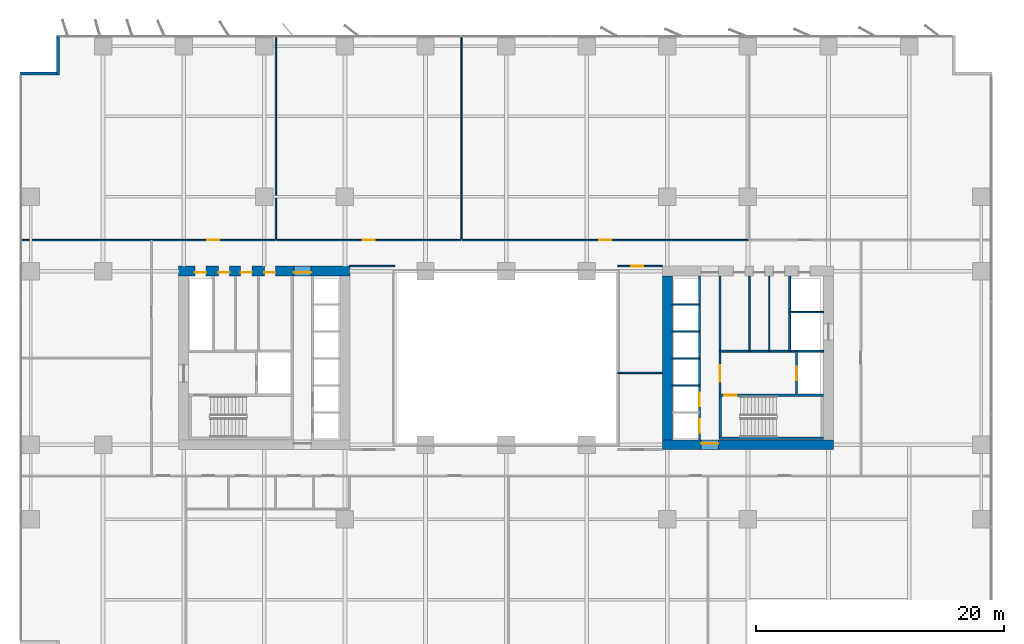
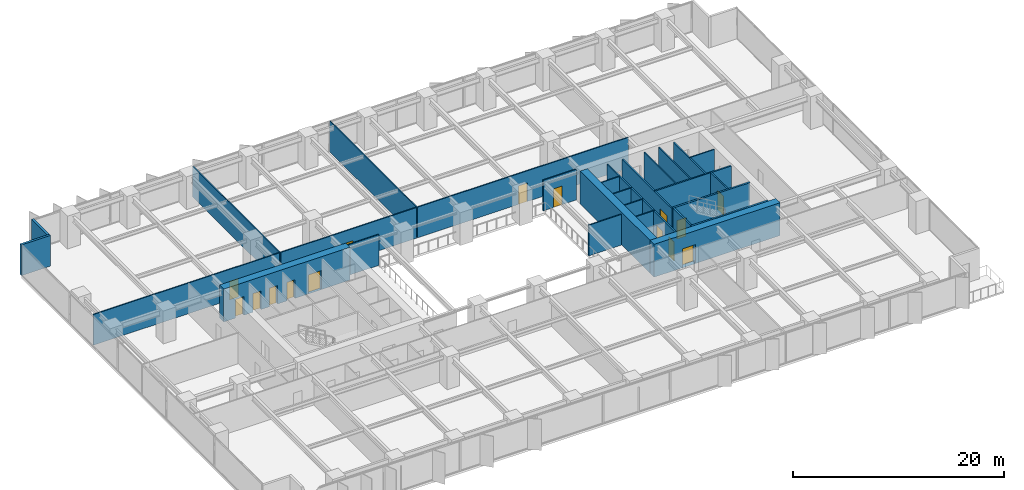
# One storey, part 14 of 20: 28 walls, 15 doors, 15 openings.
"""IFC4 building model written with IfcOpenShell, lengths in metres."""

import ifcopenshell
import ifcopenshell.guid

model = None  # the IFC model being written
_history = None  # IfcOwnerHistory: only IFC2X3 demands one
_inside = {}  # id of a spatial element -> (the spatial element, [elements in it])
_under = {}  # id of a project, library or spatial element -> (it, [spatial elements below it])
_declared = {}  # id of a project -> (the project, [libraries it declares])
_typed = {}  # id of a type object -> (the type object, [elements of that type])
_made_of = {}  # id of a material, layer set ... -> (it, [elements and type objects made of it])


def new_model(schema):
    """Start an empty IFC model of exactly this schema.

    Asked for "IFC4X3", IfcOpenShell would pick the latest addendum, in which some entities
    have other attributes; the version numbers below select the first issue.
    IFC2X3 requires an IfcOwnerHistory on every rooted entity: one is made here for all.
    """
    global model, _history
    if schema == "IFC4X3":
        model = ifcopenshell.file(schema_version=(4, 3, 0, 0))
    else:
        model = ifcopenshell.file(schema=schema)
    _inside.clear()
    _under.clear()
    _declared.clear()
    _typed.clear()
    _made_of.clear()
    _history = None
    if model.schema == "IFC2X3":
        org = make("IfcOrganization", Name="unknown")
        user = make(
            "IfcPersonAndOrganization",
            ThePerson=make("IfcPerson", FamilyName="unknown"),
            TheOrganization=org,
        )
        app = make(
            "IfcApplication",
            ApplicationDeveloper=org,
            Version="unknown",
            ApplicationFullName="unknown",
            ApplicationIdentifier="unknown",
        )
        _history = make(
            "IfcOwnerHistory",
            OwningUser=user,
            OwningApplication=app,
            ChangeAction="ADDED",
            CreationDate=0,
        )
    return model


def make(cls, **values):
    """One entity of the class cls with the attributes given. An attribute that is None is left unset."""
    return model.create_entity(
        cls, **{name: value for name, value in values.items() if value is not None}
    )


def rooted(cls, **values):
    """An entity with a GlobalId (a new one), such as an element, a storey or a relation."""
    return make(cls, GlobalId=ifcopenshell.guid.new(), OwnerHistory=_history, **values)


def si_unit(unit_type, name, prefix=None):
    """IfcSIUnit, for example si_unit("LENGTHUNIT", "METRE", prefix="MILLI")."""
    return make("IfcSIUnit", UnitType=unit_type, Prefix=prefix, Name=name)


def assignment(units):
    """IfcUnitAssignment: the units of a project."""
    return None if units is None else make("IfcUnitAssignment", Units=units)


def point(xyz):
    """IfcCartesianPoint."""
    return None if xyz is None else make("IfcCartesianPoint", Coordinates=xyz)


def direction(xyz):
    """IfcDirection."""
    return None if xyz is None else make("IfcDirection", DirectionRatios=xyz)


def frame(location, z_axis=None, x_axis=None):
    """IfcAxis2Placement3D, a coordinate frame: its origin and axes. An axis left out is left unset."""
    return make(
        "IfcAxis2Placement3D",
        Location=point(location),
        Axis=direction(z_axis),
        RefDirection=direction(x_axis),
    )


def frame_2d(location, x_axis=None):
    """IfcAxis2Placement2D, a coordinate frame in the plane: its origin and x axis."""
    return make(
        "IfcAxis2Placement2D", Location=point(location), RefDirection=direction(x_axis)
    )


def origin():
    """The frame at (0, 0, 0) with its axes left unset."""
    return frame((0.0, 0.0, 0.0))


def place(relative_to, where):
    """IfcLocalPlacement: puts the frame where relative to a parent placement (None: the world)."""
    return make(
        "IfcLocalPlacement", PlacementRelTo=relative_to, RelativePlacement=where
    )


def context(
    kind, dimensions, precision=None, world=None, true_north=None, identifier=None
):
    """IfcGeometricRepresentationContext, for example the 3D "Model" context."""
    return make(
        "IfcGeometricRepresentationContext",
        ContextIdentifier=identifier,
        ContextType=kind,
        CoordinateSpaceDimension=dimensions,
        Precision=precision,
        WorldCoordinateSystem=world,
        TrueNorth=true_north,
    )


def subcontext(parent, identifier, kind, view, scale=None):
    """IfcGeometricRepresentationSubContext, for example "Body" below "Model"."""
    return make(
        "IfcGeometricRepresentationSubContext",
        ContextIdentifier=identifier,
        ContextType=kind,
        ParentContext=parent,
        TargetScale=scale,
        TargetView=view,
    )


def project(units=None, contexts=None):
    """IfcProject with its units and contexts."""
    return rooted(
        "IfcProject",
        Name="project",
        RepresentationContexts=contexts,
        UnitsInContext=assignment(units),
    )


def spatial(cls, under=None, at=None, **own):
    """A site, building, storey or space (cls), placed at a placement, below another one or the project."""
    s = rooted(cls, ObjectPlacement=at, **own)
    if under is not None:
        _under.setdefault(under.id(), (under, []))[1].append(s)
    return s


def profile(cls, at=None, kind="AREA", **sizes):
    """A parametric profile (cls). Its sizes go by their IFC names, for example OverallWidth=200.0."""
    return make(cls, ProfileType=kind, Position=at, **sizes)


def rectangle(**sizes):
    """IfcRectangleProfileDef."""
    return profile("IfcRectangleProfileDef", **sizes)


def extrude(swept, where, along, depth):
    """IfcExtrudedAreaSolid: the profile swept, set in the frame where, extruded along a direction by depth."""
    return make(
        "IfcExtrudedAreaSolid",
        SweptArea=swept,
        Position=where,
        ExtrudedDirection=direction(along),
        Depth=depth,
    )


def shape(context_of_items, identifier, shape_type, items):
    """IfcShapeRepresentation: the items that make up one representation, for example the "Body"."""
    return make(
        "IfcShapeRepresentation",
        ContextOfItems=context_of_items,
        RepresentationIdentifier=identifier,
        RepresentationType=shape_type,
        Items=items,
    )


def material(Name=None, Category=None):
    """IfcMaterial."""
    return make("IfcMaterial", Name=Name, Category=Category)


def layer(
    of_material, thickness, ventilated=None, Name=None, Category=None, Priority=None
):
    """IfcMaterialLayer: one layer of a wall or slab, of a material (None: an air gap)."""
    return make(
        "IfcMaterialLayer",
        Material=of_material,
        LayerThickness=thickness,
        IsVentilated=ventilated,
        Name=Name,
        Category=Category,
        Priority=Priority,
    )


def layer_set(layers, Name=None):
    """IfcMaterialLayerSet."""
    return make("IfcMaterialLayerSet", MaterialLayers=layers, LayerSetName=Name)


def made_of(thing, what):
    """Note that an element or type object is made of a material, layer set ...; save() writes the relation."""
    if what is not None:
        _made_of.setdefault(what.id(), (what, []))[1].append(thing)
    return thing


def type_object(cls, material=None, **own):
    """A type object (cls), such as IfcWallType, which elements share."""
    return made_of(rooted(cls, **own), material)


def element(
    cls,
    number,
    at=None,
    inside=None,
    cuts=None,
    type_object=None,
    material=None,
    context=None,
    identifier="Body",
    shape_type=None,
    held_by="IfcProductDefinitionShape",
    body=None,
    shapes=None,
    **own,
):
    """One element of the class cls, such as IfcWall. Its Tag is "e" and its number.

    at: its placement. inside: the storey or other place that contains it. cuts: it is an
    opening in that element (IfcRelVoidsElement). A single representation is given by context,
    identifier, shape_type and body (its items); several are given by shapes. held_by: the class
    of the entity that holds the representations. save() writes the other relations.
    """
    e = rooted(cls, Tag="e%d" % number, ObjectPlacement=at, **own)
    if body is not None:
        shapes = [shape(context, identifier, shape_type, body)]
    if shapes is not None:
        e.Representation = make(held_by, Representations=shapes)
    if inside is not None:
        _inside.setdefault(inside.id(), (inside, []))[1].append(e)
    if cuts is not None:
        rooted(
            "IfcRelVoidsElement", RelatingBuildingElement=cuts, RelatedOpeningElement=e
        )
    if type_object is not None:
        _typed.setdefault(type_object.id(), (type_object, []))[1].append(e)
    return made_of(e, material)


def fill(opening, filler):
    """IfcRelFillsElement: the door or window that sits in an opening."""
    return rooted(
        "IfcRelFillsElement",
        RelatingOpeningElement=opening,
        RelatedBuildingElement=filler,
    )


def aggregate(whole, parts):
    """IfcRelAggregates: a whole, such as a stair, and the parts it consists of."""
    return rooted("IfcRelAggregates", RelatingObject=whole, RelatedObjects=parts)


def save(model, path):
    """Write the relations noted so far, then the file.

    IfcRelAggregates (storeys below a building ...), IfcRelContainedInSpatialStructure (elements
    in a storey), IfcRelDefinesByType, IfcRelAssociatesMaterial and IfcRelDeclares: one each for
    every whole, place, type object, material and project.
    """
    for whole, parts in _under.values():
        aggregate(whole, parts)
    for where, things in _inside.values():
        rooted(
            "IfcRelContainedInSpatialStructure",
            RelatedElements=things,
            RelatingStructure=where,
        )
    for kind, things in _typed.values():
        rooted("IfcRelDefinesByType", RelatedObjects=things, RelatingType=kind)
    for what, things in _made_of.values():
        rooted("IfcRelAssociatesMaterial", RelatedObjects=things, RelatingMaterial=what)
    for by, libraries in _declared.values():
        rooted("IfcRelDeclares", RelatingContext=by, RelatedDefinitions=libraries)
    model.write(path)


model = new_model("IFC4")

# Units and contexts
model_context = context("Model", 3, precision=1e-05, world=origin(), true_north=direction((0.0, 1.0)))
body_context = subcontext(model_context, "Body", "Model", "MODEL_VIEW")
ifc_project = project(units=[si_unit("LENGTHUNIT", "METRE"), si_unit("AREAUNIT", "SQUARE_METRE"), si_unit("VOLUMEUNIT", "CUBIC_METRE"), si_unit("PLANEANGLEUNIT", "RADIAN"), si_unit("MASSUNIT", "GRAM", prefix="KILO")], contexts=[model_context])

# Site, building, storey
site_placement = place(None, origin())
site = spatial("IfcSite", under=ifc_project, at=site_placement, CompositionType="ELEMENT")
building_placement = place(site_placement, origin())
building = spatial("IfcBuilding", under=site, at=building_placement, Name="Putna Gate Headquarters", CompositionType="ELEMENT")
storey_placement = place(building_placement, frame((0.0, 0.0, 43.0)))
storey = spatial("IfcBuildingStorey", under=building, at=storey_placement, Name="L09", CompositionType="ELEMENT", Elevation=43.0)

# Wall, openings, doors
ifc_material_1 = material(Name="Concrete C60/75", Category="concrete")
ifc_layer_1 = layer(ifc_material_1, 0.800048828125)
ifc_layer_set_1 = layer_set([ifc_layer_1], Name="Concrete C60/75")
wall_type_1 = type_object("IfcWallType", Name="WALL-CORE-800", PredefinedType="SHEAR", material=ifc_layer_set_1)
wall_1_placement = place(storey_placement, frame((12.60009765625, 33.0, 0.0), z_axis=(0.0, 0.0, 1.0), x_axis=(1.0, 0.0, 0.0)))
wall_1 = element("IfcWall", 1, at=wall_1_placement, inside=storey, type_object=wall_type_1, Name="L09 WC Split Core Shear Wall N", PredefinedType="SHEAR", context=body_context, shape_type="SweptSolid", body=[
    extrude(rectangle(XDim=13.7998046875, YDim=0.800048828125, at=frame_2d((6.89990234375, 0.0))), origin(), (0.0, 0.0, 1.0), 3.800048828125),
])
opening_1_placement = place(wall_1_placement, frame((1.300048828125, 0.0, 0.0)))
opening_1 = element("IfcOpeningElement", 2, at=opening_1_placement, cuts=wall_1, Name="Opening RD-90", PredefinedType="OPENING", context=body_context, shape_type="SweptSolid", body=[
    extrude(rectangle(XDim=0.89990234375, YDim=2.14990234375, at=frame_2d((0.449951171875, 1.074951171875))), frame((0.0, 0.409912109375, 0.0), z_axis=(0.0, -1.0, 0.0), x_axis=(1.0, 0.0, 0.0)), (0.0, 0.0, 1.0), 0.820068359375),
])
opening_2_placement = place(wall_1_placement, frame((3.199951171875, 0.0, 0.0)))
opening_2 = element("IfcOpeningElement", 3, at=opening_2_placement, cuts=wall_1, Name="Opening IDS-90", PredefinedType="OPENING", context=body_context, shape_type="SweptSolid", body=[
    extrude(rectangle(XDim=0.89990234375, YDim=2.14990234375, at=frame_2d((0.449951171875, 1.074951171875))), frame((0.0, 0.409912109375, 0.0), z_axis=(0.0, -1.0, 0.0), x_axis=(1.0, 0.0, 0.0)), (0.0, 0.0, 1.0), 0.820068359375),
])
opening_3_placement = place(wall_1_placement, frame((5.0, 0.0, 0.0)))
opening_3 = element("IfcOpeningElement", 4, at=opening_3_placement, cuts=wall_1, Name="Opening IDS-90", PredefinedType="OPENING", context=body_context, shape_type="SweptSolid", body=[
    extrude(rectangle(XDim=0.89990234375, YDim=2.14990234375, at=frame_2d((0.449951171875, 1.074951171875))), frame((0.0, 0.409912109375, 0.0), z_axis=(0.0, -1.0, 0.0), x_axis=(1.0, 0.0, 0.0)), (0.0, 0.0, 1.0), 0.820068359375),
])
opening_4_placement = place(wall_1_placement, frame((6.89990234375, 0.0, 0.0)))
opening_4 = element("IfcOpeningElement", 5, at=opening_4_placement, cuts=wall_1, Name="Opening IDS-90", PredefinedType="OPENING", context=body_context, shape_type="SweptSolid", body=[
    extrude(rectangle(XDim=0.89990234375, YDim=2.14990234375, at=frame_2d((0.449951171875, 1.074951171875))), frame((0.0, 0.409912109375, 0.0), z_axis=(0.0, -1.0, 0.0), x_axis=(1.0, 0.0, 0.0)), (0.0, 0.0, 1.0), 0.820068359375),
])
opening_5_placement = place(wall_1_placement, frame((9.280029296875, 0.0, 0.0)))
opening_5 = element("IfcOpeningElement", 6, at=opening_5_placement, cuts=wall_1, Name="Opening FDD-140", PredefinedType="OPENING", context=body_context, shape_type="SweptSolid", body=[
    extrude(rectangle(XDim=1.39990234375, YDim=2.199951171875, at=frame_2d((0.699951171875, 1.10009765625))), frame((0.0, 0.409912109375, 0.0), z_axis=(0.0, -1.0, 0.0), x_axis=(1.0, 0.0, 0.0)), (0.0, 0.0, 1.0), 0.820068359375),
])
ifc_material_2 = material(Name="Double steel fire door", Category="steel")
door_type_1 = type_object("IfcDoorType", Name="DOOR-FIRE-DBL-1400", OperationType="DOUBLE_DOOR_SINGLE_SWING", PredefinedType="DOOR", material=ifc_material_2)
door_1_placement = place(opening_5_placement, origin())
door_1 = element("IfcDoor", 7, at=door_1_placement, inside=storey, type_object=door_type_1, Name="L09 West Lift Lobby North Door", OperationType="DOUBLE_DOOR_SINGLE_SWING", OverallHeight=2.199951171875, OverallWidth=1.39990234375, PredefinedType="DOOR", context=body_context, shape_type="SweptSolid", body=[
    extrude(rectangle(XDim=1.39990234375, YDim=2.199951171875, at=frame_2d((0.699951171875, 1.10009765625))), frame((0.0, -0.0751953125, 0.0), z_axis=(0.0, -1.0, 0.0), x_axis=(1.0, 0.0, 0.0)), (0.0, 0.0, 1.0), 0.050048828125),
])
fill(opening_5, door_1)
ifc_material_3 = material(Name="Fire-rated utility door")
door_type_2 = type_object("IfcDoorType", Name="DOOR-INT-900", OperationType="NOTDEFINED", PredefinedType="DOOR", material=ifc_material_3)
door_2_placement = place(opening_2_placement, origin())
door_2 = element("IfcDoor", 8, at=door_2_placement, inside=storey, type_object=door_type_2, Name="L09 Janitor Cupboard Door", OperationType="SINGLE_SWING_LEFT", OverallHeight=2.14990234375, OverallWidth=0.89990234375, PredefinedType="DOOR", context=body_context, shape_type="SweptSolid", body=[
    extrude(rectangle(XDim=0.89990234375, YDim=2.14990234375, at=frame_2d((0.449951171875, 1.074951171875))), frame((0.0, -0.0751953125, 0.0), z_axis=(0.0, -1.0, 0.0), x_axis=(1.0, 0.0, 0.0)), (0.0, 0.0, 1.0), 0.050048828125),
])
fill(opening_2, door_2)
door_3_placement = place(opening_3_placement, origin())
door_3 = element("IfcDoor", 9, at=door_3_placement, inside=storey, type_object=door_type_2, Name="L09 IT Patch Plant Door", OperationType="SINGLE_SWING_RIGHT", OverallHeight=2.14990234375, OverallWidth=0.89990234375, PredefinedType="DOOR", context=body_context, shape_type="SweptSolid", body=[
    extrude(rectangle(XDim=0.89990234375, YDim=2.14990234375, at=frame_2d((0.449951171875, 1.074951171875))), frame((0.0, -0.0751953125, 0.0), z_axis=(0.0, -1.0, 0.0), x_axis=(1.0, 0.0, 0.0)), (0.0, 0.0, 1.0), 0.050048828125),
])
fill(opening_3, door_3)
door_4_placement = place(opening_4_placement, origin())
door_4 = element("IfcDoor", 10, at=door_4_placement, inside=storey, type_object=door_type_2, Name="L09 Building Records Store Door", OperationType="SINGLE_SWING_LEFT", OverallHeight=2.14990234375, OverallWidth=0.89990234375, PredefinedType="DOOR", context=body_context, shape_type="SweptSolid", body=[
    extrude(rectangle(XDim=0.89990234375, YDim=2.14990234375, at=frame_2d((0.449951171875, 1.074951171875))), frame((0.0, -0.0751953125, 0.0), z_axis=(0.0, -1.0, 0.0), x_axis=(1.0, 0.0, 0.0)), (0.0, 0.0, 1.0), 0.050048828125),
])
fill(opening_4, door_4)
ifc_material_4 = material(Name="Steel riser access fire door", Category="steel")
door_type_3 = type_object("IfcDoorType", Name="DOOR-RISER-900", OperationType="NOTDEFINED", PredefinedType="DOOR", material=ifc_material_4)
door_5_placement = place(opening_1_placement, origin())
door_5 = element("IfcDoor", 11, at=door_5_placement, inside=storey, type_object=door_type_3, Name="L09 West Riser Access Door", OperationType="SINGLE_SWING_RIGHT", OverallHeight=2.14990234375, OverallWidth=0.89990234375, PredefinedType="DOOR", context=body_context, shape_type="SweptSolid", body=[
    extrude(rectangle(XDim=0.89990234375, YDim=2.14990234375, at=frame_2d((0.449951171875, 1.074951171875))), frame((0.0, -0.0751953125, 0.0), z_axis=(0.0, -1.0, 0.0), x_axis=(1.0, 0.0, 0.0)), (0.0, 0.0, 1.0), 0.050048828125),
])
fill(opening_1, door_5)

# Wall, opening, door
wall_2_placement = place(storey_placement, frame((51.60009765625, 19.0, 0.0), z_axis=(0.0, 0.0, 1.0), x_axis=(1.0, 0.0, 0.0)))
wall_2 = element("IfcWall", 12, at=wall_2_placement, inside=storey, type_object=wall_type_1, Name="L09 EC Split Core Shear Wall S", PredefinedType="SHEAR", context=body_context, shape_type="SweptSolid", body=[
    extrude(rectangle(XDim=13.7998046875, YDim=0.800048828125, at=frame_2d((6.89990234375, 0.0))), origin(), (0.0, 0.0, 1.0), 3.800048828125),
])
opening_6_placement = place(wall_2_placement, frame((3.1201171875, 0.0, 0.0)))
opening_6 = element("IfcOpeningElement", 13, at=opening_6_placement, cuts=wall_2, Name="Opening FDD-140", PredefinedType="OPENING", context=body_context, shape_type="SweptSolid", body=[
    extrude(rectangle(XDim=1.39990234375, YDim=2.199951171875, at=frame_2d((0.699951171875, 1.10009765625))), frame((0.0, 0.409912109375, 0.0), z_axis=(0.0, -1.0, 0.0), x_axis=(1.0, 0.0, 0.0)), (0.0, 0.0, 1.0), 0.820068359375),
])
door_6_placement = place(opening_6_placement, origin())
door_6 = element("IfcDoor", 14, at=door_6_placement, inside=storey, type_object=door_type_1, Name="L09 East Lift Lobby South Door", OperationType="DOUBLE_DOOR_SINGLE_SWING", OverallHeight=2.199951171875, OverallWidth=1.39990234375, PredefinedType="DOOR", context=body_context, shape_type="SweptSolid", body=[
    extrude(rectangle(XDim=1.39990234375, YDim=2.199951171875, at=frame_2d((0.699951171875, 1.10009765625))), frame((0.0, 0.125, 0.0), z_axis=(0.0, -1.0, 0.0), x_axis=(1.0, 0.0, 0.0)), (0.0, 0.0, 1.0), 0.050048828125),
])
fill(opening_6, door_6)

# Walls
wall_3_placement = place(storey_placement, frame((52.0, 19.39990234375, 0.0), z_axis=(0.0, 0.0, 1.0), x_axis=(0.0, 1.0, 0.0)))
element("IfcWall", 15, at=wall_3_placement, inside=storey, type_object=wall_type_1, Name="L09 EC Split Core Shear Wall W", PredefinedType="SHEAR", context=body_context, shape_type="SweptSolid", body=[
    extrude(rectangle(XDim=13.2001953125, YDim=0.800048828125, at=frame_2d((6.60009765625, 0.0))), origin(), (0.0, 0.0, 1.0), 3.800048828125),
])
ifc_material_5 = material(Name="Precast concrete C40/50", Category="concrete")
ifc_layer_2 = layer(ifc_material_5, 0.239990234375)
ifc_layer_set_2 = layer_set([ifc_layer_2], Name="Precast concrete C40/50")
wall_type_2 = type_object("IfcWallType", Name="WALL-EXT-TERR-240", PredefinedType="STANDARD", material=ifc_layer_set_2)
for number, where, z_axis, x_axis, name in (
    (16, (2.8798828125, 48.800048828125, 0.0), (0.0, 0.0, 1.0), (0.0, 1.0, 0.0), "L09 Corner Notch Return Wall NW-V"),
    (17, (-0.199951171875, 48.919921875, 0.0), (0.0, 0.0, 1.0), (1.0, 0.0, 0.0), "L09 Corner Notch Return Wall NW-H"),
):
    element("IfcWall", number, at=place(storey_placement, frame(where, z_axis=z_axis, x_axis=x_axis)), inside=storey, type_object=wall_type_2, Name=name, PredefinedType="STANDARD", context=body_context, shape_type="SweptSolid", body=[
        extrude(rectangle(XDim=3.199951171875, YDim=0.239990234375, at=frame_2d((1.60009765625, 0.0))), origin(), (0.0, 0.0, 1.0), 3.550048828125),
    ])
ifc_material_6 = material(Name="Acoustic gypsum board on metal stud")
ifc_layer_3 = layer(ifc_material_6, 0.1201171875)
ifc_layer_set_3 = layer_set([ifc_layer_3], Name="Acoustic gypsum board on metal stud")
wall_type_3 = type_object("IfcWallType", Name="WALL-PART-120", PredefinedType="PARTITIONING", material=ifc_layer_set_3)
for number, where, z_axis, x_axis, name in (
    (18, (26.39990234375, 33.39990234375, 0.0), (0.0, 0.0, 1.0), (1.0, 0.0, 0.0), "L09 Interior Wall PART-L09-ATR-W-N"),
    (19, (48.0, 24.800048828125, 0.0), (0.0, 0.0, 1.0), (1.0, 0.0, 0.0), "L09 Interior Wall PART-L09-ATR-E-DIV"),
):
    element("IfcWall", number, at=place(storey_placement, frame(where, z_axis=z_axis, x_axis=x_axis)), inside=storey, type_object=wall_type_3, Name=name, PredefinedType="PARTITIONING", context=body_context, shape_type="SweptSolid", body=[
        extrude(rectangle(XDim=3.60009765625, YDim=0.1201171875, at=frame_2d((1.800048828125, 0.0))), origin(), (0.0, 0.0, 1.0), 3.550048828125),
    ])

# Wall, opening, door
wall_4_placement = place(storey_placement, frame((48.0, 33.39990234375, 0.0), z_axis=(0.0, 0.0, 1.0), x_axis=(1.0, 0.0, 0.0)))
wall_4 = element("IfcWall", 20, at=wall_4_placement, inside=storey, type_object=wall_type_3, Name="L09 Interior Wall PART-L09-ATR-E-N", PredefinedType="PARTITIONING", context=body_context, shape_type="SweptSolid", body=[
    extrude(rectangle(XDim=3.60009765625, YDim=0.1201171875, at=frame_2d((1.800048828125, 0.0))), origin(), (0.0, 0.0, 1.0), 3.550048828125),
])
opening_7_placement = place(wall_4_placement, frame((1.10009765625, 0.0, 0.0)))
opening_7 = element("IfcOpeningElement", 21, at=opening_7_placement, cuts=wall_4, Name="Opening ID-95", PredefinedType="OPENING", context=body_context, shape_type="SweptSolid", body=[
    extrude(rectangle(XDim=0.949951171875, YDim=2.14990234375, at=frame_2d((0.47509765625, 1.074951171875))), frame((0.0, 0.070068359375, 0.0), z_axis=(0.0, -1.0, 0.0), x_axis=(1.0, 0.0, 0.0)), (0.0, 0.0, 1.0), 0.14013671875),
])
ifc_material_7 = material(Name="Veneered acoustic timber door", Category="wood")
door_type_4 = type_object("IfcDoorType", Name="DOOR-OFF-950", OperationType="NOTDEFINED", PredefinedType="DOOR", material=ifc_material_7)
door_7_placement = place(opening_7_placement, origin())
door_7 = element("IfcDoor", 22, at=door_7_placement, inside=storey, type_object=door_type_4, Name="L09 East Atrium North Gallery Door", OperationType="SINGLE_SWING_LEFT", OverallHeight=2.14990234375, OverallWidth=0.949951171875, PredefinedType="DOOR", context=body_context, shape_type="SweptSolid", body=[
    extrude(rectangle(XDim=0.949951171875, YDim=2.14990234375, at=frame_2d((0.47509765625, 1.074951171875))), frame((0.0, 0.02490234375, 0.0), z_axis=(0.0, -1.0, 0.0), x_axis=(1.0, 0.0, 0.0)), (0.0, 0.0, 1.0), 0.050048828125),
])
fill(opening_7, door_7)

# Walls
for number, where, z_axis, x_axis, name in (
    (23, (20.426513671875, 35.56005859375, 0.0), (0.0, 0.0, 1.0), (0.0, 1.0, 0.0), "L09 Interior Wall PART-L09-NB-DIV-01"),
    (24, (35.40234375, 35.56005859375, 0.0), (0.0, 0.0, 1.0), (0.0, 1.0, 0.0), "L09 Interior Wall PART-L09-NB-DIV-02"),
):
    element("IfcWall", number, at=place(storey_placement, frame(where, z_axis=z_axis, x_axis=x_axis)), inside=storey, type_object=wall_type_3, Name=name, PredefinedType="PARTITIONING", context=body_context, shape_type="SweptSolid", body=[
        extrude(rectangle(XDim=16.419921875, YDim=0.1201171875, at=frame_2d((8.2099609375, 0.0))), origin(), (0.0, 0.0, 1.0), 3.550048828125),
    ])
ifc_material_8 = material(Name="Fire-rated shaftwall gypsum board on metal stud")
ifc_layer_4 = layer(ifc_material_8, 0.1201171875)
ifc_layer_set_4 = layer_set([ifc_layer_4], Name="Fire-rated shaftwall gypsum board on metal stud")
wall_type_4 = type_object("IfcWallType", Name="WALL-PART-120-EI120", PredefinedType="PARTITIONING", material=ifc_layer_set_4)
for number, where, z_axis, x_axis, name in (
    (25, (52.39990234375, 23.780029296875, 0.0), (0.0, 0.0, 1.0), (1.0, 0.0, 0.0), "L09 Interior Wall CWINT-L09-EC-LF04-DIV"),
    (26, (52.39990234375, 25.949951171875, 0.0), (0.0, 0.0, 1.0), (1.0, 0.0, 0.0), "L09 Interior Wall CWINT-L09-EC-LF07-DIV"),
    (27, (52.39990234375, 28.1201171875, 0.0), (0.0, 0.0, 1.0), (1.0, 0.0, 0.0), "L09 Interior Wall CWINT-L09-EC-LF08-DIV"),
    (28, (52.39990234375, 30.31005859375, 0.0), (0.0, 0.0, 1.0), (1.0, 0.0, 0.0), "L09 Interior Wall CWINT-L09-EC-LF11-DIV"),
):
    element("IfcWall", number, at=place(storey_placement, frame(where, z_axis=z_axis, x_axis=x_axis)), inside=storey, type_object=wall_type_4, Name=name, PredefinedType="PARTITIONING", context=body_context, shape_type="SweptSolid", body=[
        extrude(rectangle(XDim=2.2001953125, YDim=0.1201171875, at=frame_2d((1.10009765625, 0.0))), origin(), (0.0, 0.0, 1.0), 3.550048828125),
    ])
wall_5_placement = place(storey_placement, frame((61.8701171875, 29.699951171875, 0.0), z_axis=(0.0, 0.0, 1.0), x_axis=(1.0, 0.0, 0.0)))
element("IfcWall", 29, at=wall_5_placement, inside=storey, type_object=wall_type_4, Name="L09 Interior Wall CWINT-L09-EC-LF15-N", PredefinedType="PARTITIONING", context=body_context, shape_type="SweptSolid", body=[
    extrude(rectangle(XDim=2.72998046875, YDim=0.1201171875, at=frame_2d((1.364990234375, 0.0))), origin(), (0.0, 0.0, 1.0), 3.550048828125),
])
ifc_material_9 = material(Name="Fire-rated gypsum board on metal stud")
ifc_layer_5 = layer(ifc_material_9, 0.1201171875)
ifc_layer_set_5 = layer_set([ifc_layer_5], Name="Fire-rated gypsum board on metal stud")
wall_type_5 = type_object("IfcWallType", Name="WALL-PART-120-RATED", PredefinedType="PARTITIONING", material=ifc_layer_set_5)
for number, where, z_axis, x_axis, name in (
    (30, (58.6201171875, 26.56005859375, 0.0), (0.0, 0.0, 1.0), (0.0, 1.0, 0.0), "L09 Interior Wall CWINT-L09-EC-K2-D1"),
    (31, (60.219970703125, 26.56005859375, 0.0), (0.0, 0.0, 1.0), (0.0, 1.0, 0.0), "L09 Interior Wall CWINT-L09-EC-K2-D2"),
):
    element("IfcWall", number, at=place(storey_placement, frame(where, z_axis=z_axis, x_axis=x_axis)), inside=storey, type_object=wall_type_5, Name=name, PredefinedType="PARTITIONING", context=body_context, shape_type="SweptSolid", body=[
        extrude(rectangle(XDim=6.0400390625, YDim=0.1201171875, at=frame_2d((3.02001953125, 0.0))), origin(), (0.0, 0.0, 1.0), 3.550048828125),
    ])

# Wall, opening, door
wall_6_placement = place(storey_placement, frame((-0.02001953125, 35.5, 0.0), z_axis=(0.0, 0.0, 1.0), x_axis=(1.0, 0.0, 0.0)))
wall_6 = element("IfcWall", 32, at=wall_6_placement, inside=storey, type_object=wall_type_5, Name="L09 Interior Wall PART-L09-NB-CW-01", PredefinedType="PARTITIONING", context=body_context, shape_type="SweptSolid", body=[
    extrude(rectangle(XDim=20.386474609375, YDim=0.1201171875, at=frame_2d((10.193359375, 0.0))), origin(), (0.0, 0.0, 1.0), 3.550048828125),
])
opening_8_placement = place(wall_6_placement, frame((14.92822265625, 0.0, 0.0)))
opening_8 = element("IfcOpeningElement", 33, at=opening_8_placement, cuts=wall_6, Name="Opening FD-95", PredefinedType="OPENING", context=body_context, shape_type="SweptSolid", body=[
    extrude(rectangle(XDim=0.949951171875, YDim=2.14990234375, at=frame_2d((0.47509765625, 1.074951171875))), frame((0.0, 0.070068359375, 0.0), z_axis=(0.0, -1.0, 0.0), x_axis=(1.0, 0.0, 0.0)), (0.0, 0.0, 1.0), 0.14013671875),
])
ifc_material_10 = material(Name="Acoustic timber fire door", Category="wood")
door_type_5 = type_object("IfcDoorType", Name="DOOR-FIRE-950", OperationType="NOTDEFINED", PredefinedType="DOOR", material=ifc_material_10)
door_8_placement = place(opening_8_placement, origin())
door_8 = element("IfcDoor", 34, at=door_8_placement, inside=storey, type_object=door_type_5, Name="L09 Collaborative Breakout Lounge 1 Door", OperationType="SINGLE_SWING_RIGHT", OverallHeight=2.14990234375, OverallWidth=0.949951171875, PredefinedType="DOOR", context=body_context, shape_type="SweptSolid", body=[
    extrude(rectangle(XDim=0.949951171875, YDim=2.14990234375, at=frame_2d((0.47509765625, 1.074951171875))), frame((0.0, 0.02490234375, 0.0), z_axis=(0.0, -1.0, 0.0), x_axis=(1.0, 0.0, 0.0)), (0.0, 0.0, 1.0), 0.050048828125),
])
fill(opening_8, door_8)

wall_7_placement = place(storey_placement, frame((20.486572265625, 35.5, 0.0), z_axis=(0.0, 0.0, 1.0), x_axis=(1.0, 0.0, 0.0)))
wall_7 = element("IfcWall", 35, at=wall_7_placement, inside=storey, type_object=wall_type_5, Name="L09 Interior Wall PART-L09-NB-CW-02", PredefinedType="PARTITIONING", context=body_context, shape_type="SweptSolid", body=[
    extrude(rectangle(XDim=14.855712890625, YDim=0.1201171875, at=frame_2d((7.427734375, 0.0))), origin(), (0.0, 0.0, 1.0), 3.550048828125),
])
opening_9_placement = place(wall_7_placement, frame((6.952880859375, 0.0, 0.0)))
opening_9 = element("IfcOpeningElement", 36, at=opening_9_placement, cuts=wall_7, Name="Opening FD-95", PredefinedType="OPENING", context=body_context, shape_type="SweptSolid", body=[
    extrude(rectangle(XDim=0.949951171875, YDim=2.14990234375, at=frame_2d((0.47509765625, 1.074951171875))), frame((0.0, 0.070068359375, 0.0), z_axis=(0.0, -1.0, 0.0), x_axis=(1.0, 0.0, 0.0)), (0.0, 0.0, 1.0), 0.14013671875),
])
door_9_placement = place(opening_9_placement, origin())
door_9 = element("IfcDoor", 37, at=door_9_placement, inside=storey, type_object=door_type_5, Name="L09 Cellular Office 1 Door", OperationType="SINGLE_SWING_LEFT", OverallHeight=2.14990234375, OverallWidth=0.949951171875, PredefinedType="DOOR", context=body_context, shape_type="SweptSolid", body=[
    extrude(rectangle(XDim=0.949951171875, YDim=2.14990234375, at=frame_2d((0.47509765625, 1.074951171875))), frame((0.0, 0.02490234375, 0.0), z_axis=(0.0, -1.0, 0.0), x_axis=(1.0, 0.0, 0.0)), (0.0, 0.0, 1.0), 0.050048828125),
])
fill(opening_9, door_9)

wall_8_placement = place(storey_placement, frame((35.46240234375, 35.5, 0.0), z_axis=(0.0, 0.0, 1.0), x_axis=(1.0, 0.0, 0.0)))
wall_8 = element("IfcWall", 38, at=wall_8_placement, inside=storey, type_object=wall_type_5, Name="L09 Interior Wall PART-L09-NB-CW-03", PredefinedType="PARTITIONING", context=body_context, shape_type="SweptSolid", body=[
    extrude(rectangle(XDim=23.057861328125, YDim=0.1201171875, at=frame_2d((11.52880859375, 0.0))), origin(), (0.0, 0.0, 1.0), 3.550048828125),
])
opening_10_placement = place(wall_8_placement, frame((11.053955078125, 0.0, 0.0)))
opening_10 = element("IfcOpeningElement", 39, at=opening_10_placement, cuts=wall_8, Name="Opening FD-95", PredefinedType="OPENING", context=body_context, shape_type="SweptSolid", body=[
    extrude(rectangle(XDim=0.949951171875, YDim=2.14990234375, at=frame_2d((0.47509765625, 1.074951171875))), frame((0.0, 0.070068359375, 0.0), z_axis=(0.0, -1.0, 0.0), x_axis=(1.0, 0.0, 0.0)), (0.0, 0.0, 1.0), 0.14013671875),
])
door_10_placement = place(opening_10_placement, origin())
door_10 = element("IfcDoor", 40, at=door_10_placement, inside=storey, type_object=door_type_5, Name="L09 Cellular Office 2 Door", OperationType="SINGLE_SWING_RIGHT", OverallHeight=2.14990234375, OverallWidth=0.949951171875, PredefinedType="DOOR", context=body_context, shape_type="SweptSolid", body=[
    extrude(rectangle(XDim=0.949951171875, YDim=2.14990234375, at=frame_2d((0.47509765625, 1.074951171875))), frame((0.0, 0.02490234375, 0.0), z_axis=(0.0, -1.0, 0.0), x_axis=(1.0, 0.0, 0.0)), (0.0, 0.0, 1.0), 0.050048828125),
])
fill(opening_10, door_10)

# Wall, openings, doors
ifc_material_11 = material(Name="Concrete C40/50", Category="concrete")
ifc_layer_6 = layer(ifc_material_11, 0.159912109375)
ifc_layer_set_6 = layer_set([ifc_layer_6], Name="Concrete C40/50")
wall_type_6 = type_object("IfcWallType", Name="WALL-SHAFT-160", PredefinedType="STANDARD", material=ifc_layer_set_6)
wall_9_placement = place(storey_placement, frame((54.60009765625, 19.39990234375, 0.0), z_axis=(0.0, 0.0, 1.0), x_axis=(0.0, 1.0, 0.0)))
wall_9 = element("IfcWall", 41, at=wall_9_placement, inside=storey, type_object=wall_type_6, Name="L09 Interior Wall CWINT-L09-EC-PL-WALL", PredefinedType="STANDARD", context=body_context, shape_type="SweptSolid", body=[
    extrude(rectangle(XDim=13.2001953125, YDim=0.159912109375, at=frame_2d((6.60009765625, 0.0))), origin(), (0.0, 0.0, 1.0), 3.550048828125),
])
opening_11_placement = place(wall_9_placement, frame((0.550048828125, 0.0, 0.0)))
opening_11 = element("IfcOpeningElement", 42, at=opening_11_placement, cuts=wall_9, Name="Opening LD-1", PredefinedType="OPENING", context=body_context, shape_type="SweptSolid", body=[
    extrude(rectangle(XDim=1.10009765625, YDim=2.199951171875, at=frame_2d((0.550048828125, 1.10009765625))), frame((0.0, 0.08984375, 0.0), z_axis=(0.0, -1.0, 0.0), x_axis=(1.0, 0.0, 0.0)), (0.0, 0.0, 1.0), 0.179931640625),
])
opening_12_placement = place(wall_9_placement, frame((2.699951171875, 0.0, 0.0)))
opening_12 = element("IfcOpeningElement", 43, at=opening_12_placement, cuts=wall_9, Name="Opening LD-1", PredefinedType="OPENING", context=body_context, shape_type="SweptSolid", body=[
    extrude(rectangle(XDim=1.10009765625, YDim=2.199951171875, at=frame_2d((0.550048828125, 1.10009765625))), frame((0.0, 0.08984375, 0.0), z_axis=(0.0, -1.0, 0.0), x_axis=(1.0, 0.0, 0.0)), (0.0, 0.0, 1.0), 0.179931640625),
])
ifc_material_12 = material(Name="Brushed bronze stainless lift landing door")
door_type_6 = type_object("IfcDoorType", Name="DOOR-LIFT-1100", OperationType="DOUBLE_DOOR_SLIDING", PredefinedType="DOOR", material=ifc_material_12)
door_11_placement = place(opening_11_placement, origin())
door_11 = element("IfcDoor", 44, at=door_11_placement, inside=storey, type_object=door_type_6, Name="L09 Lift Landing Door LD-03", OperationType="DOUBLE_DOOR_SLIDING", OverallHeight=2.199951171875, OverallWidth=1.10009765625, PredefinedType="DOOR", context=body_context, shape_type="SweptSolid", body=[
    extrude(rectangle(XDim=1.10009765625, YDim=2.199951171875, at=frame_2d((0.550048828125, 1.10009765625))), frame((0.0, 0.02490234375, 0.0), z_axis=(0.0, -1.0, 0.0), x_axis=(1.0, 0.0, 0.0)), (0.0, 0.0, 1.0), 0.050048828125),
])
fill(opening_11, door_11)
door_12_placement = place(opening_12_placement, origin())
door_12 = element("IfcDoor", 45, at=door_12_placement, inside=storey, type_object=door_type_6, Name="L09 Lift Landing Door LD-04", OperationType="DOUBLE_DOOR_SLIDING", OverallHeight=2.199951171875, OverallWidth=1.10009765625, PredefinedType="DOOR", context=body_context, shape_type="SweptSolid", body=[
    extrude(rectangle(XDim=1.10009765625, YDim=2.199951171875, at=frame_2d((0.550048828125, 1.10009765625))), frame((0.0, 0.02490234375, 0.0), z_axis=(0.0, -1.0, 0.0), x_axis=(1.0, 0.0, 0.0)), (0.0, 0.0, 1.0), 0.050048828125),
])
fill(opening_12, door_12)

# Wall, opening, door
wall_10_placement = place(storey_placement, frame((56.260009765625, 23.090087890625, 0.0), z_axis=(0.0, 0.0, 1.0), x_axis=(0.0, 1.0, 0.0)))
wall_10 = element("IfcWall", 46, at=wall_10_placement, inside=storey, type_object=wall_type_6, Name="L09 Interior Wall CWINT-L09-EC-LOB-E", PredefinedType="STANDARD", context=body_context, shape_type="SweptSolid", body=[
    extrude(rectangle(XDim=9.510009765625, YDim=0.159912109375, at=frame_2d((4.7548828125, 0.0))), origin(), (0.0, 0.0, 1.0), 3.550048828125),
])
opening_13_placement = place(wall_10_placement, frame((1.010009765625, 0.0, 0.0)))
opening_13 = element("IfcOpeningElement", 47, at=opening_13_placement, cuts=wall_10, Name="Opening FDD-130", PredefinedType="OPENING", context=body_context, shape_type="SweptSolid", body=[
    extrude(rectangle(XDim=1.300048828125, YDim=2.199951171875, at=frame_2d((0.64990234375, 1.10009765625))), frame((0.0, 0.08984375, 0.0), z_axis=(0.0, -1.0, 0.0), x_axis=(1.0, 0.0, 0.0)), (0.0, 0.0, 1.0), 0.179931640625),
])
ifc_material_13 = material(Name="Double steel lobby fire door", Category="steel")
door_type_7 = type_object("IfcDoorType", Name="DOOR-FIRE-DBL-1300", OperationType="DOUBLE_DOOR_SINGLE_SWING", PredefinedType="DOOR", material=ifc_material_13)
door_13_placement = place(opening_13_placement, origin())
door_13 = element("IfcDoor", 48, at=door_13_placement, inside=storey, type_object=door_type_7, Name="L09 East Firefighting Lobby Door", OperationType="DOUBLE_DOOR_SINGLE_SWING", OverallHeight=2.199951171875, OverallWidth=1.300048828125, PredefinedType="DOOR", context=body_context, shape_type="SweptSolid", body=[
    extrude(rectangle(XDim=1.300048828125, YDim=2.199951171875, at=frame_2d((0.64990234375, 1.10009765625))), frame((0.0, 0.02490234375, 0.0), z_axis=(0.0, -1.0, 0.0), x_axis=(1.0, 0.0, 0.0)), (0.0, 0.0, 1.0), 0.050048828125),
])
fill(opening_13, door_13)

wall_11_placement = place(storey_placement, frame((62.429931640625, 23.090087890625, 0.0), z_axis=(0.0, 0.0, 1.0), x_axis=(0.0, 1.0, 0.0)))
wall_11 = element("IfcWall", 49, at=wall_11_placement, inside=storey, type_object=wall_type_6, Name="L09 Interior Wall CWINT-L09-EC-LF14-W", PredefinedType="STANDARD", context=body_context, shape_type="SweptSolid", body=[
    extrude(rectangle(XDim=3.469970703125, YDim=0.159912109375, at=frame_2d((1.73486328125, 0.0))), origin(), (0.0, 0.0, 1.0), 3.550048828125),
])
opening_14_placement = place(wall_11_placement, frame((1.10009765625, 0.0, 0.0)))
opening_14 = element("IfcOpeningElement", 50, at=opening_14_placement, cuts=wall_11, Name="Opening LD-1", PredefinedType="OPENING", context=body_context, shape_type="SweptSolid", body=[
    extrude(rectangle(XDim=1.10009765625, YDim=2.199951171875, at=frame_2d((0.550048828125, 1.10009765625))), frame((0.0, 0.08984375, 0.0), z_axis=(0.0, -1.0, 0.0), x_axis=(1.0, 0.0, 0.0)), (0.0, 0.0, 1.0), 0.179931640625),
])
door_14_placement = place(opening_14_placement, origin())
door_14 = element("IfcDoor", 51, at=door_14_placement, inside=storey, type_object=door_type_6, Name="L09 Lift Landing Door LD-14", OperationType="DOUBLE_DOOR_SLIDING", OverallHeight=2.199951171875, OverallWidth=1.10009765625, PredefinedType="DOOR", context=body_context, shape_type="SweptSolid", body=[
    extrude(rectangle(XDim=1.10009765625, YDim=2.199951171875, at=frame_2d((0.550048828125, 1.10009765625))), frame((0.0, 0.02490234375, 0.0), z_axis=(0.0, -1.0, 0.0), x_axis=(1.0, 0.0, 0.0)), (0.0, 0.0, 1.0), 0.050048828125),
])
fill(opening_14, door_14)

# Walls
wall_12_placement = place(storey_placement, frame((56.260009765625, 26.56005859375, 0.0), z_axis=(0.0, 0.0, 1.0), x_axis=(1.0, 0.0, 0.0)))
element("IfcWall", 52, at=wall_12_placement, inside=storey, type_object=wall_type_6, Name="L09 Interior Wall CWINT-L09-EC-FFL-N", PredefinedType="STANDARD", context=body_context, shape_type="SweptSolid", body=[
    extrude(rectangle(XDim=8.340087890625, YDim=0.159912109375, at=frame_2d((4.169921875, 0.0))), origin(), (0.0, 0.0, 1.0), 3.550048828125),
])
wall_13_placement = place(storey_placement, frame((61.8701171875, 26.56005859375, 0.0), z_axis=(0.0, 0.0, 1.0), x_axis=(0.0, 1.0, 0.0)))
element("IfcWall", 53, at=wall_13_placement, inside=storey, type_object=wall_type_6, Name="L09 Interior Wall CWINT-L09-EC-LF15-W", PredefinedType="STANDARD", context=body_context, shape_type="SweptSolid", body=[
    extrude(rectangle(XDim=6.0400390625, YDim=0.159912109375, at=frame_2d((3.02001953125, 0.0))), origin(), (0.0, 0.0, 1.0), 3.550048828125),
])
ifc_layer_7 = layer(ifc_material_11, 0.199951171875)
ifc_layer_set_7 = layer_set([ifc_layer_7], Name="Concrete C40/50")
wall_type_7 = type_object("IfcWallType", Name="WALL-SHAFT-RC200", PredefinedType="SHEAR", material=ifc_layer_set_7)
wall_14_placement = place(storey_placement, frame((56.159912109375, 19.510009765625, 0.0), z_axis=(0.0, 0.0, 1.0), x_axis=(1.0, 0.0, 0.0)))
element("IfcWall", 54, at=wall_14_placement, inside=storey, type_object=wall_type_7, Name="L09 Stair ST2 Structural Shaft Wall S", PredefinedType="SHEAR", context=body_context, shape_type="SweptSolid", body=[
    extrude(rectangle(XDim=8.43017578125, YDim=0.199951171875, at=frame_2d((4.215087890625, 0.0))), origin(), (0.0, 0.0, 1.0), 3.800048828125),
])

# Wall, opening, door
wall_15_placement = place(storey_placement, frame((56.159912109375, 22.989990234375, 0.0), z_axis=(0.0, 0.0, 1.0), x_axis=(1.0, 0.0, 0.0)))
wall_15 = element("IfcWall", 55, at=wall_15_placement, inside=storey, type_object=wall_type_7, Name="L09 Stair ST2 Structural Shaft Wall N", PredefinedType="SHEAR", context=body_context, shape_type="SweptSolid", body=[
    extrude(rectangle(XDim=8.43017578125, YDim=0.199951171875, at=frame_2d((4.215087890625, 0.0))), origin(), (0.0, 0.0, 1.0), 3.800048828125),
])
opening_15_placement = place(wall_15_placement, frame((0.449951171875, 0.0, 0.0)))
opening_15 = element("IfcOpeningElement", 56, at=opening_15_placement, cuts=wall_15, Name="Opening FD-100", PredefinedType="OPENING", context=body_context, shape_type="SweptSolid", body=[
    extrude(rectangle(XDim=1.0, YDim=2.14990234375, at=frame_2d((0.5, 1.074951171875))), frame((0.0, 0.10986328125, 0.0), z_axis=(0.0, -1.0, 0.0), x_axis=(1.0, 0.0, 0.0)), (0.0, 0.0, 1.0), 0.219970703125),
])
ifc_material_14 = material(Name="Powder-coated steel fire door", Category="steel")
door_type_8 = type_object("IfcDoorType", Name="DOOR-FIRE-1000", OperationType="NOTDEFINED", PredefinedType="DOOR", material=ifc_material_14)
door_15_placement = place(opening_15_placement, origin())
door_15 = element("IfcDoor", 57, at=door_15_placement, inside=storey, type_object=door_type_8, Name="L09 Stair ST2 Fire Door", OperationType="SINGLE_SWING_RIGHT", OverallHeight=2.14990234375, OverallWidth=1.0, PredefinedType="DOOR", context=body_context, shape_type="SweptSolid", body=[
    extrude(rectangle(XDim=1.0, YDim=2.14990234375, at=frame_2d((0.5, 1.074951171875))), frame((0.0, 0.02490234375, 0.0), z_axis=(0.0, -1.0, 0.0), x_axis=(1.0, 0.0, 0.0)), (0.0, 0.0, 1.0), 0.050048828125),
])
fill(opening_15, door_15)

# Wall
wall_16_placement = place(storey_placement, frame((56.260009765625, 19.610107421875, 0.0), z_axis=(0.0, 0.0, 1.0), x_axis=(0.0, 1.0, 0.0)))
element("IfcWall", 58, at=wall_16_placement, inside=storey, type_object=wall_type_7, Name="L09 Stair ST2 Structural Shaft Wall W", PredefinedType="SHEAR", context=body_context, shape_type="SweptSolid", body=[
    extrude(rectangle(XDim=3.27978515625, YDim=0.199951171875, at=frame_2d((1.639892578125, 0.0))), origin(), (0.0, 0.0, 1.0), 3.800048828125),
])

save(model, "model.ifc")
